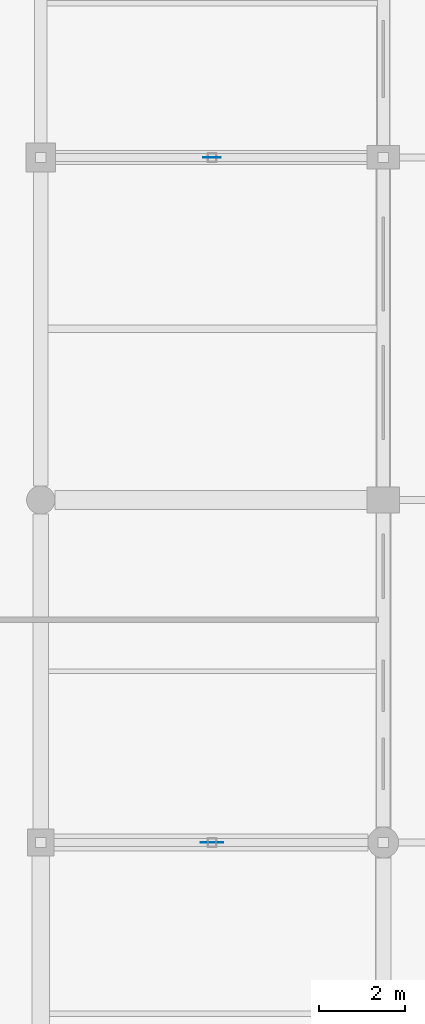
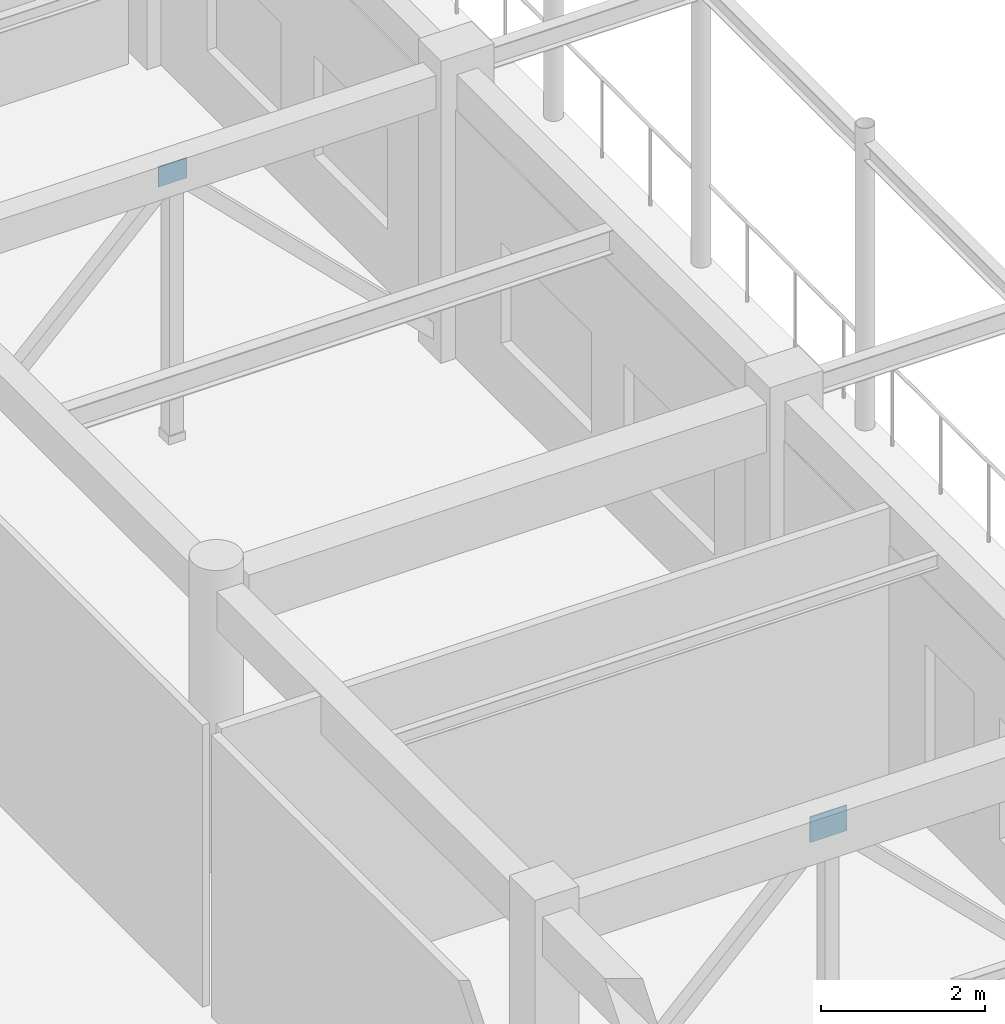
# One storey, part 122 of 160: 2 plates.
"""IFC4 building model written with IfcOpenShell, lengths in metres."""

import ifcopenshell
import ifcopenshell.guid

model = None  # the IFC model being written
_history = None  # IfcOwnerHistory: only IFC2X3 demands one
_inside = {}  # id of a spatial element -> (the spatial element, [elements in it])
_under = {}  # id of a project, library or spatial element -> (it, [spatial elements below it])
_declared = {}  # id of a project -> (the project, [libraries it declares])
_typed = {}  # id of a type object -> (the type object, [elements of that type])
_made_of = {}  # id of a material, layer set ... -> (it, [elements and type objects made of it])


def new_model(schema):
    """Start an empty IFC model of exactly this schema.

    Asked for "IFC4X3", IfcOpenShell would pick the latest addendum, in which some entities
    have other attributes; the version numbers below select the first issue.
    IFC2X3 requires an IfcOwnerHistory on every rooted entity: one is made here for all.
    """
    global model, _history
    if schema == "IFC4X3":
        model = ifcopenshell.file(schema_version=(4, 3, 0, 0))
    else:
        model = ifcopenshell.file(schema=schema)
    _inside.clear()
    _under.clear()
    _declared.clear()
    _typed.clear()
    _made_of.clear()
    _history = None
    if model.schema == "IFC2X3":
        org = make("IfcOrganization", Name="unknown")
        user = make(
            "IfcPersonAndOrganization",
            ThePerson=make("IfcPerson", FamilyName="unknown"),
            TheOrganization=org,
        )
        app = make(
            "IfcApplication",
            ApplicationDeveloper=org,
            Version="unknown",
            ApplicationFullName="unknown",
            ApplicationIdentifier="unknown",
        )
        _history = make(
            "IfcOwnerHistory",
            OwningUser=user,
            OwningApplication=app,
            ChangeAction="ADDED",
            CreationDate=0,
        )
    return model


def make(cls, **values):
    """One entity of the class cls with the attributes given. An attribute that is None is left unset."""
    return model.create_entity(
        cls, **{name: value for name, value in values.items() if value is not None}
    )


def rooted(cls, **values):
    """An entity with a GlobalId (a new one), such as an element, a storey or a relation."""
    return make(cls, GlobalId=ifcopenshell.guid.new(), OwnerHistory=_history, **values)


def si_unit(unit_type, name, prefix=None):
    """IfcSIUnit, for example si_unit("LENGTHUNIT", "METRE", prefix="MILLI")."""
    return make("IfcSIUnit", UnitType=unit_type, Prefix=prefix, Name=name)


def assignment(units):
    """IfcUnitAssignment: the units of a project."""
    return None if units is None else make("IfcUnitAssignment", Units=units)


def point(xyz):
    """IfcCartesianPoint."""
    return None if xyz is None else make("IfcCartesianPoint", Coordinates=xyz)


def direction(xyz):
    """IfcDirection."""
    return None if xyz is None else make("IfcDirection", DirectionRatios=xyz)


def frame(location, z_axis=None, x_axis=None):
    """IfcAxis2Placement3D, a coordinate frame: its origin and axes. An axis left out is left unset."""
    return make(
        "IfcAxis2Placement3D",
        Location=point(location),
        Axis=direction(z_axis),
        RefDirection=direction(x_axis),
    )


def frame_2d(location, x_axis=None):
    """IfcAxis2Placement2D, a coordinate frame in the plane: its origin and x axis."""
    return make(
        "IfcAxis2Placement2D", Location=point(location), RefDirection=direction(x_axis)
    )


def origin():
    """The frame at (0, 0, 0) with its axes left unset."""
    return frame((0.0, 0.0, 0.0))


def origin_2d():
    """The frame at (0, 0) in the plane with its x axis left unset."""
    return frame_2d((0.0, 0.0))


def place(relative_to, where):
    """IfcLocalPlacement: puts the frame where relative to a parent placement (None: the world)."""
    return make(
        "IfcLocalPlacement", PlacementRelTo=relative_to, RelativePlacement=where
    )


def context(
    kind, dimensions, precision=None, world=None, true_north=None, identifier=None
):
    """IfcGeometricRepresentationContext, for example the 3D "Model" context."""
    return make(
        "IfcGeometricRepresentationContext",
        ContextIdentifier=identifier,
        ContextType=kind,
        CoordinateSpaceDimension=dimensions,
        Precision=precision,
        WorldCoordinateSystem=world,
        TrueNorth=true_north,
    )


def subcontext(parent, identifier, kind, view, scale=None):
    """IfcGeometricRepresentationSubContext, for example "Body" below "Model"."""
    return make(
        "IfcGeometricRepresentationSubContext",
        ContextIdentifier=identifier,
        ContextType=kind,
        ParentContext=parent,
        TargetScale=scale,
        TargetView=view,
    )


def project(units=None, contexts=None):
    """IfcProject with its units and contexts."""
    return rooted(
        "IfcProject",
        Name="project",
        RepresentationContexts=contexts,
        UnitsInContext=assignment(units),
    )


def spatial(cls, under=None, at=None, **own):
    """A site, building, storey or space (cls), placed at a placement, below another one or the project."""
    s = rooted(cls, ObjectPlacement=at, **own)
    if under is not None:
        _under.setdefault(under.id(), (under, []))[1].append(s)
    return s


def profile(cls, at=None, kind="AREA", **sizes):
    """A parametric profile (cls). Its sizes go by their IFC names, for example OverallWidth=200.0."""
    return make(cls, ProfileType=kind, Position=at, **sizes)


def rectangle(**sizes):
    """IfcRectangleProfileDef."""
    return profile("IfcRectangleProfileDef", **sizes)


def extrude(swept, where, along, depth):
    """IfcExtrudedAreaSolid: the profile swept, set in the frame where, extruded along a direction by depth."""
    return make(
        "IfcExtrudedAreaSolid",
        SweptArea=swept,
        Position=where,
        ExtrudedDirection=direction(along),
        Depth=depth,
    )


def shape(context_of_items, identifier, shape_type, items):
    """IfcShapeRepresentation: the items that make up one representation, for example the "Body"."""
    return make(
        "IfcShapeRepresentation",
        ContextOfItems=context_of_items,
        RepresentationIdentifier=identifier,
        RepresentationType=shape_type,
        Items=items,
    )


def material(Name=None, Category=None):
    """IfcMaterial."""
    return make("IfcMaterial", Name=Name, Category=Category)


def made_of(thing, what):
    """Note that an element or type object is made of a material, layer set ...; save() writes the relation."""
    if what is not None:
        _made_of.setdefault(what.id(), (what, []))[1].append(thing)
    return thing


def type_object(cls, material=None, **own):
    """A type object (cls), such as IfcWallType, which elements share."""
    return made_of(rooted(cls, **own), material)


def element(
    cls,
    number,
    at=None,
    inside=None,
    cuts=None,
    type_object=None,
    material=None,
    context=None,
    identifier="Body",
    shape_type=None,
    held_by="IfcProductDefinitionShape",
    body=None,
    shapes=None,
    **own,
):
    """One element of the class cls, such as IfcWall. Its Tag is "e" and its number.

    at: its placement. inside: the storey or other place that contains it. cuts: it is an
    opening in that element (IfcRelVoidsElement). A single representation is given by context,
    identifier, shape_type and body (its items); several are given by shapes. held_by: the class
    of the entity that holds the representations. save() writes the other relations.
    """
    e = rooted(cls, Tag="e%d" % number, ObjectPlacement=at, **own)
    if body is not None:
        shapes = [shape(context, identifier, shape_type, body)]
    if shapes is not None:
        e.Representation = make(held_by, Representations=shapes)
    if inside is not None:
        _inside.setdefault(inside.id(), (inside, []))[1].append(e)
    if cuts is not None:
        rooted(
            "IfcRelVoidsElement", RelatingBuildingElement=cuts, RelatedOpeningElement=e
        )
    if type_object is not None:
        _typed.setdefault(type_object.id(), (type_object, []))[1].append(e)
    return made_of(e, material)


def aggregate(whole, parts):
    """IfcRelAggregates: a whole, such as a stair, and the parts it consists of."""
    return rooted("IfcRelAggregates", RelatingObject=whole, RelatedObjects=parts)


def save(model, path):
    """Write the relations noted so far, then the file.

    IfcRelAggregates (storeys below a building ...), IfcRelContainedInSpatialStructure (elements
    in a storey), IfcRelDefinesByType, IfcRelAssociatesMaterial and IfcRelDeclares: one each for
    every whole, place, type object, material and project.
    """
    for whole, parts in _under.values():
        aggregate(whole, parts)
    for where, things in _inside.values():
        rooted(
            "IfcRelContainedInSpatialStructure",
            RelatedElements=things,
            RelatingStructure=where,
        )
    for kind, things in _typed.values():
        rooted("IfcRelDefinesByType", RelatedObjects=things, RelatingType=kind)
    for what, things in _made_of.values():
        rooted("IfcRelAssociatesMaterial", RelatedObjects=things, RelatingMaterial=what)
    for by, libraries in _declared.values():
        rooted("IfcRelDeclares", RelatingContext=by, RelatedDefinitions=libraries)
    model.write(path)


model = new_model("IFC4")

# Units and contexts
model_context = context("Model", 3, precision=1e-05, world=origin(), true_north=direction((0.0, 1.0)))
body_context = subcontext(model_context, "Body", "Model", "MODEL_VIEW")
ifc_project = project(units=[si_unit("LENGTHUNIT", "METRE"), si_unit("AREAUNIT", "SQUARE_METRE"), si_unit("VOLUMEUNIT", "CUBIC_METRE"), si_unit("PLANEANGLEUNIT", "RADIAN"), si_unit("MASSUNIT", "GRAM", prefix="KILO")], contexts=[model_context])

# Site, building, storey
site_placement = place(None, origin())
site = spatial("IfcSite", under=ifc_project, at=site_placement, CompositionType="ELEMENT")
building_placement = place(site_placement, origin())
building = spatial("IfcBuilding", under=site, at=building_placement, Name="Kharva Crest Polytechnic", CompositionType="ELEMENT")
storey_placement = place(building_placement, frame((0.0, 0.0, 4.5)))
storey = spatial("IfcBuildingStorey", under=building, at=storey_placement, Name="L01", CompositionType="ELEMENT", Elevation=4.5)

# Plates
ifc_material = material(Name="Steel S355", Category="steel")
plate_type_1 = type_object("IfcPlateType", Name="PLT-GUS-400X300X14", PredefinedType="USERDEFINED", material=ifc_material)
plate_1_placement = place(storey_placement, frame((44.0, 78.800048828125, 3.7998046875), z_axis=(0.0, 0.0, 1.0), x_axis=(1.0, 0.0, 0.0)))
element("IfcPlate", 1, at=plate_1_placement, inside=storey, type_object=plate_type_1, Name="L01 Braced Frame Gusset Plate 5", ObjectType="GUSSET PLATE", PredefinedType="USERDEFINED", context=body_context, shape_type="SweptSolid", body=[
    extrude(rectangle(XDim=0.39990234375, YDim=0.013916015625, at=origin_2d()), origin(), (0.0, 0.0, 1.0), 0.300048828125),
])
plate_type_2 = type_object("IfcPlateType", Name="PLT-GUS-520X380X16", PredefinedType="USERDEFINED", material=ifc_material)
plate_2_placement = place(storey_placement, frame((44.0, 62.800048828125, 3.760009765625), z_axis=(0.0, 0.0, 1.0), x_axis=(1.0, 0.0, 0.0)))
element("IfcPlate", 2, at=plate_2_placement, inside=storey, type_object=plate_type_2, Name="L01 Braced Frame Gusset Plate 2", ObjectType="GUSSET PLATE", PredefinedType="USERDEFINED", context=body_context, shape_type="SweptSolid", body=[
    extrude(rectangle(XDim=0.52001953125, YDim=0.01611328125, at=origin_2d()), origin(), (0.0, 0.0, 1.0), 0.3798828125),
])

save(model, "model.ifc")
